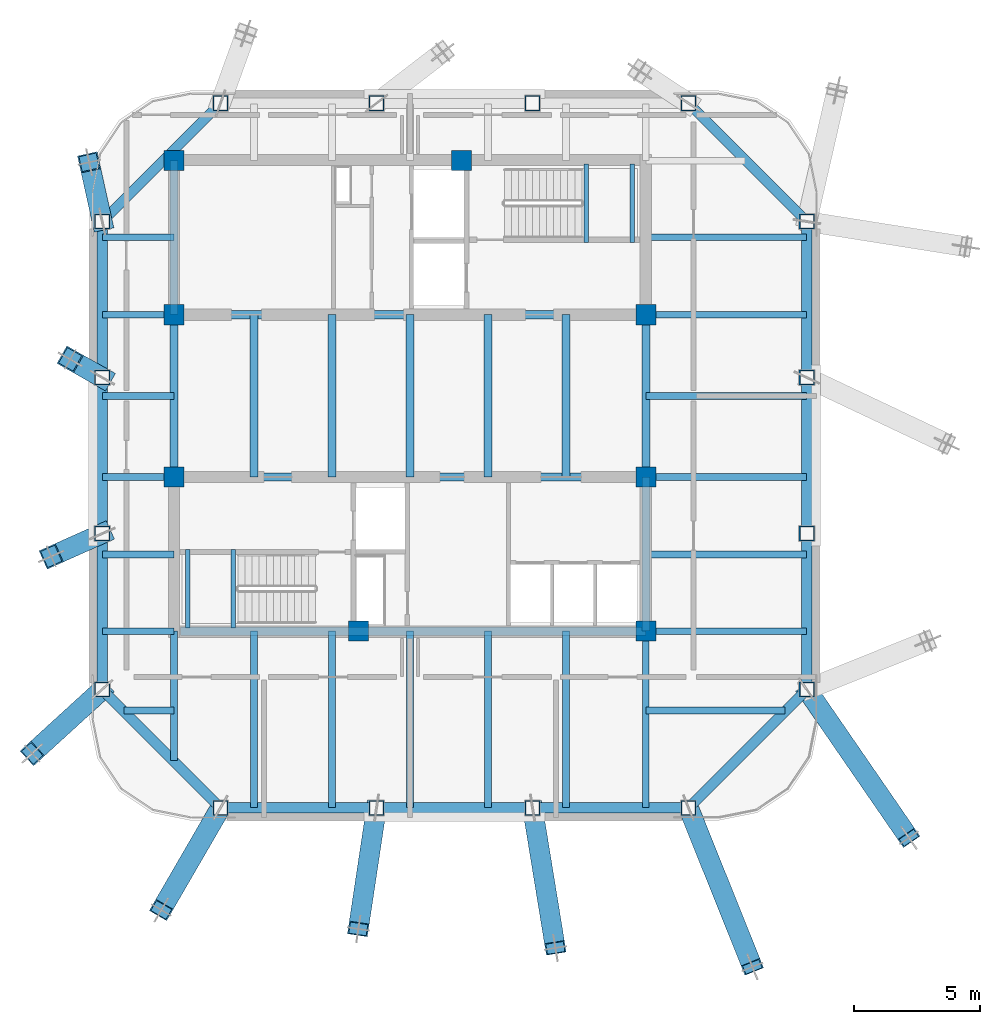
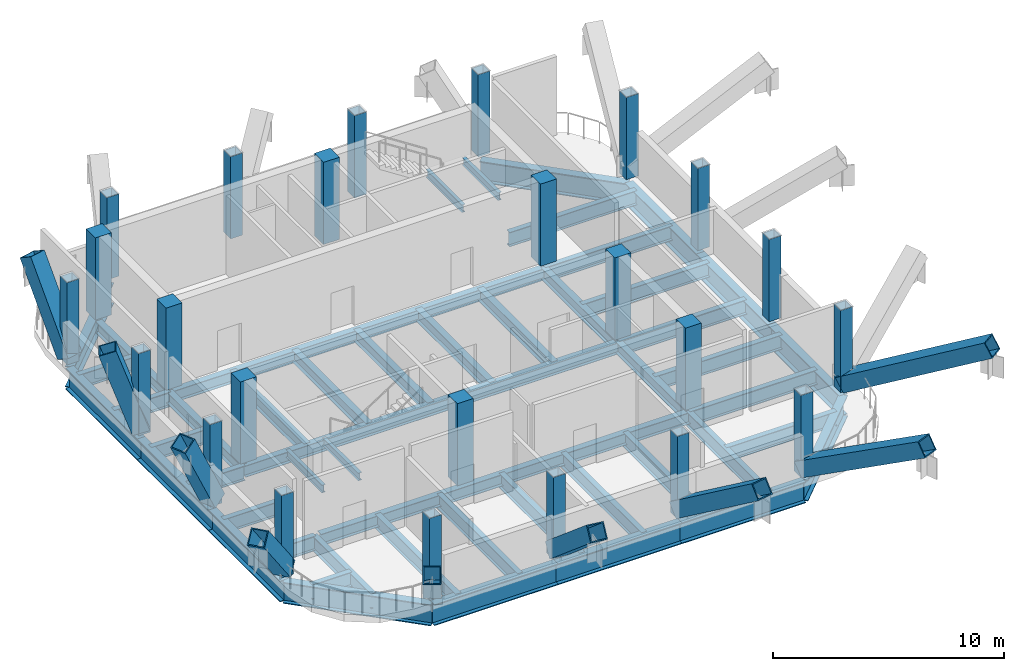
# One storey, part 1 of 7: 50 beams, 24 columns, 9 members.
"""IFC4 building model written with IfcOpenShell, lengths in metres."""

from ifc_helpers import new_model, si_unit, direction, frame, origin, origin_2d, place, context, subcontext, project, spatial, rectangle, hollow_rectangle, i_section, extrude, material, material_profile, profile_set, type_object, element, save


model = new_model("IFC4")

# Units and contexts
model_context = context("Model", 3, precision=1e-05, world=origin(), true_north=direction((0.0, 1.0)))
body_context = subcontext(model_context, "Body", "Model", "MODEL_VIEW")
ifc_project = project(units=[si_unit("LENGTHUNIT", "METRE"), si_unit("AREAUNIT", "SQUARE_METRE"), si_unit("VOLUMEUNIT", "CUBIC_METRE"), si_unit("PLANEANGLEUNIT", "RADIAN"), si_unit("MASSUNIT", "GRAM", prefix="KILO")], contexts=[model_context])

# Site, building, storey
site_placement = place(None, origin())
site = spatial("IfcSite", under=ifc_project, at=site_placement, CompositionType="ELEMENT")
building_placement = place(site_placement, origin())
building = spatial("IfcBuilding", under=site, at=building_placement, Name="Qhalaya Broadcast Tower", CompositionType="ELEMENT")
storey_placement = place(building_placement, frame((0.0, 0.0, 238.5)))
storey = spatial("IfcBuildingStorey", under=building, at=storey_placement, Name="L70", CompositionType="ELEMENT", Elevation=238.5)

# Columns
ifc_material_1 = material(Name="Concrete C50/60", Category="concrete")
ifc_material_profile_1 = material_profile(ifc_material_1, rectangle(XDim=0.800048828125, YDim=0.800048828125, at=origin_2d()), Name="RC-COL 800x800")
ifc_profile_set_1 = profile_set([ifc_material_profile_1], Name="Concrete C50/60")
column_type_1 = type_object("IfcColumnType", Name="RC Upper Column C10", PredefinedType="COLUMN", material=ifc_profile_set_1)
for number, where, z_axis, x_axis, name in (
    (1, (-9.375, 9.949951171875, 0.0), (0.0, 0.0, 1.0), (1.0, 0.0, 0.0), "L70 Column COL-CC1"),
    (2, (2.050048828125, 9.949951171875, 0.0), (0.0, 0.0, 1.0), (1.0, 0.0, 0.0), "L70 Column COL-CC2"),
    (3, (-9.375, 3.824951171875, 0.0), (0.0, 0.0, 1.0), (1.0, 0.0, 0.0), "L70 Column COL-CC3"),
    (4, (9.375, 3.824951171875, 0.0), (0.0, 0.0, 1.0), (1.0, 0.0, 0.0), "L70 Column COL-CC4"),
    (5, (-9.375, -2.625, 0.0), (0.0, 0.0, 1.0), (1.0, 0.0, 0.0), "L70 Column COL-CC5"),
    (6, (9.375, -2.625, 0.0), (0.0, 0.0, 1.0), (1.0, 0.0, 0.0), "L70 Column COL-CC6"),
    (7, (-2.050048828125, -8.75, 0.0), (0.0, 0.0, 1.0), (1.0, 0.0, 0.0), "L70 Column COL-CC7"),
    (8, (9.375, -8.75, 0.0), (0.0, 0.0, 1.0), (1.0, 0.0, 0.0), "L70 Column COL-CC8"),
):
    element("IfcColumn", number, at=place(storey_placement, frame(where, z_axis=z_axis, x_axis=x_axis)), inside=storey, type_object=column_type_1, Name=name, PredefinedType="COLUMN", context=body_context, shape_type="SweptSolid", body=[
        extrude(rectangle(XDim=0.800048828125, YDim=0.800048828125, at=origin_2d()), origin(), (0.0, 0.0, 1.0), 4.35009765625),
    ])
ifc_material_2 = material(Name="Structural Steel ASTM A572 Grade 50", Category="steel")
ifc_material_profile_2 = material_profile(ifc_material_2, hollow_rectangle(XDim=0.60009765625, YDim=0.60009765625, WallThickness=0.0400390625, at=origin_2d()), Name="BOX 600x600x40")
ifc_profile_set_2 = profile_set([ifc_material_profile_2], Name="Structural Steel ASTM A572 Grade 50")
column_type_2 = type_object("IfcColumnType", Name="Steel Box Column C05", PredefinedType="COLUMN", material=ifc_profile_set_2)
for number, where, z_axis, x_axis, name in (
    (9, (-7.530029296875, -15.77001953125, 0.0), (0.0, 0.0, 1.0), (1.0, 0.0, 0.0), "L70 Column COL-NK01"),
    (10, (-1.330078125, -15.77001953125, 0.0), (0.0, 0.0, 1.0), (1.0, 0.0, 0.0), "L70 Column COL-NK02"),
    (11, (4.8701171875, -15.77001953125, 0.0), (0.0, 0.0, 1.0), (1.0, 0.0, 0.0), "L70 Column COL-NK03"),
    (12, (11.070068359375, -15.77001953125, 0.0), (0.0, 0.0, 1.0), (1.0, 0.0, 0.0), "L70 Column COL-NK04"),
    (13, (15.77001953125, -11.070068359375, 0.0), (0.0, 0.0, 1.0), (0.0, 1.0, 0.0), "L70 Column COL-NK05"),
    (14, (15.77001953125, -4.8701171875, 0.0), (0.0, 0.0, 1.0), (0.0, 1.0, 0.0), "L70 Column COL-NK06"),
    (15, (15.77001953125, 1.330078125, 0.0), (0.0, 0.0, 1.0), (0.0, 1.0, 0.0), "L70 Column COL-NK07"),
    (16, (15.77001953125, 7.530029296875, 0.0), (0.0, 0.0, 1.0), (0.0, 1.0, 0.0), "L70 Column COL-NK08"),
    (17, (11.070068359375, 12.22998046875, 0.0), (0.0, 0.0, 1.0), (1.0, 0.0, 0.0), "L70 Column COL-NK09"),
    (18, (4.8701171875, 12.22998046875, 0.0), (0.0, 0.0, 1.0), (1.0, 0.0, 0.0), "L70 Column COL-NK10"),
    (19, (-1.330078125, 12.22998046875, 0.0), (0.0, 0.0, 1.0), (1.0, 0.0, 0.0), "L70 Column COL-NK11"),
    (20, (-7.530029296875, 12.22998046875, 0.0), (0.0, 0.0, 1.0), (1.0, 0.0, 0.0), "L70 Column COL-NK12"),
    (21, (-12.22998046875, 7.530029296875, 0.0), (0.0, 0.0, 1.0), (0.0, 1.0, 0.0), "L70 Column COL-NK13"),
    (22, (-12.22998046875, 1.330078125, 0.0), (0.0, 0.0, 1.0), (0.0, 1.0, 0.0), "L70 Column COL-NK14"),
    (23, (-12.22998046875, -4.8701171875, 0.0), (0.0, 0.0, 1.0), (0.0, 1.0, 0.0), "L70 Column COL-NK15"),
    (24, (-12.22998046875, -11.070068359375, 0.0), (0.0, 0.0, 1.0), (0.0, 1.0, 0.0), "L70 Column COL-NK16"),
):
    element("IfcColumn", number, at=place(storey_placement, frame(where, z_axis=z_axis, x_axis=x_axis)), inside=storey, type_object=column_type_2, Name=name, PredefinedType="COLUMN", context=body_context, shape_type="SweptSolid", body=[
        extrude(hollow_rectangle(XDim=0.60009765625, YDim=0.60009765625, WallThickness=0.0400390625, at=origin_2d()), origin(), (0.0, 0.0, 1.0), 4.35009765625),
    ])

# Beams
ifc_material_3 = material(Name="Structural Steel ASTM A992 Grade 50", Category="steel")
ifc_material_profile_3 = material_profile(ifc_material_3, i_section(OverallWidth=0.323974609375, OverallDepth=0.612060546875, WebThickness=0.0126953125, FlangeThickness=0.01904296875, at=origin_2d()), Name="W24X104")
ifc_profile_set_3 = profile_set([ifc_material_profile_3], Name="Structural Steel ASTM A992 Grade 50")
beam_type_1 = type_object("IfcBeamType", Name="Core Frame Tie Beam B04", PredefinedType="BEAM", material=ifc_profile_set_3)
beam_1_placement = place(storey_placement, frame((-9.375, 3.824951171875, -0.68603515625), z_axis=(1.0, 0.0, 0.0), x_axis=(0.0, 1.0, 0.0)))
element("IfcBeam", 25, at=beam_1_placement, inside=storey, type_object=beam_type_1, Name="L70 B04 L70-CCN1", PredefinedType="BEAM", context=body_context, shape_type="SweptSolid", body=[
    extrude(i_section(OverallWidth=0.323974609375, OverallDepth=0.612060546875, WebThickness=0.0126953125, FlangeThickness=0.01904296875, at=origin_2d()), origin(), (0.0, 0.0, 1.0), 18.75),
])
beam_2_placement = place(storey_placement, frame((-9.375, 3.824951171875, -0.68603515625), z_axis=(0.0, 1.0, 0.0), x_axis=(-1.0, 0.0, 0.0)))
element("IfcBeam", 26, at=beam_2_placement, inside=storey, type_object=beam_type_1, Name="L70 B04 L70-CCN2", PredefinedType="BEAM", context=body_context, shape_type="SweptSolid", body=[
    extrude(i_section(OverallWidth=0.323974609375, OverallDepth=0.612060546875, WebThickness=0.0126953125, FlangeThickness=0.01904296875, at=origin_2d()), origin(), (0.0, 0.0, 1.0), 6.125),
])
beam_3_placement = place(storey_placement, frame((-9.375, -2.625, -0.68603515625), z_axis=(1.0, 0.0, 0.0), x_axis=(0.0, 1.0, 0.0)))
element("IfcBeam", 27, at=beam_3_placement, inside=storey, type_object=beam_type_1, Name="L70 B04 L70-CCS1", PredefinedType="BEAM", context=body_context, shape_type="SweptSolid", body=[
    extrude(i_section(OverallWidth=0.323974609375, OverallDepth=0.612060546875, WebThickness=0.0126953125, FlangeThickness=0.01904296875, at=origin_2d()), origin(), (0.0, 0.0, 1.0), 18.75),
])
beam_4_placement = place(storey_placement, frame((9.375, -8.75, -0.68603515625), z_axis=(0.0, 1.0, 0.0), x_axis=(-1.0, 0.0, 0.0)))
element("IfcBeam", 28, at=beam_4_placement, inside=storey, type_object=beam_type_1, Name="L70 B04 L70-CCS2", PredefinedType="BEAM", context=body_context, shape_type="SweptSolid", body=[
    extrude(i_section(OverallWidth=0.323974609375, OverallDepth=0.612060546875, WebThickness=0.0126953125, FlangeThickness=0.01904296875, at=origin_2d()), origin(), (0.0, 0.0, 1.0), 6.125),
])
beam_5_placement = place(storey_placement, frame((-9.1201171875, -8.75, -0.68603515625), z_axis=(1.0, 0.0, 0.0), x_axis=(0.0, 1.0, 0.0)))
element("IfcBeam", 29, at=beam_5_placement, inside=storey, type_object=beam_type_1, Name="L70 B04 L70-CCS3", PredefinedType="BEAM", context=body_context, shape_type="SweptSolid", body=[
    extrude(i_section(OverallWidth=0.323974609375, OverallDepth=0.612060546875, WebThickness=0.0126953125, FlangeThickness=0.01904296875, at=origin_2d()), origin(), (0.0, 0.0, 1.0), 18.4951171875),
])
for number, where, z_axis, x_axis, name in (
    (30, (-9.375, -2.625, -0.68603515625), (0.0, 1.0, 0.0), (-1.0, 0.0, 0.0), "L70 B04 L70-CCW"),
    (31, (9.375, -2.625, -0.68603515625), (0.0, 1.0, 0.0), (-1.0, 0.0, 0.0), "L70 B04 L70-CCE"),
    (32, (-6.199951171875, -2.625, -0.68603515625), (0.0, 1.0, 0.0), (-1.0, 0.0, 0.0), "L70 B04 L70-JC1-1"),
    (33, (-3.10009765625, -2.625, -0.68603515625), (0.0, 1.0, 0.0), (-1.0, 0.0, 0.0), "L70 B04 L70-JC2-1"),
    (34, (0.0, -2.625, -0.68603515625), (0.0, 1.0, 0.0), (-1.0, 0.0, 0.0), "L70 B04 L70-JC3-1"),
    (35, (3.10009765625, -2.625, -0.68603515625), (0.0, 1.0, 0.0), (-1.0, 0.0, 0.0), "L70 B04 L70-JC4-1"),
    (36, (6.199951171875, -2.625, -0.68603515625), (0.0, 1.0, 0.0), (-1.0, 0.0, 0.0), "L70 B04 L70-JC5-1"),
):
    element("IfcBeam", number, at=place(storey_placement, frame(where, z_axis=z_axis, x_axis=x_axis)), inside=storey, type_object=beam_type_1, Name=name, PredefinedType="BEAM", context=body_context, shape_type="SweptSolid", body=[
        extrude(i_section(OverallWidth=0.323974609375, OverallDepth=0.612060546875, WebThickness=0.0126953125, FlangeThickness=0.01904296875, at=origin_2d()), origin(), (0.0, 0.0, 1.0), 6.449951171875),
    ])
ifc_material_profile_4 = material_profile(ifc_material_3, i_section(OverallWidth=0.26708984375, OverallDepth=0.780029296875, WebThickness=0.0166015625, FlangeThickness=0.030029296875, at=origin_2d()), Name="W30X148")
ifc_profile_set_4 = profile_set([ifc_material_profile_4], Name="Structural Steel ASTM A992 Grade 50")
beam_type_2 = type_object("IfcBeamType", Name="Neck & Crown Primary Girder PG5", PredefinedType="USERDEFINED", material=ifc_profile_set_4)
beam_6_placement = place(storey_placement, frame((-9.375, -13.896728515625, -0.77001953125), z_axis=(0.0, 1.0, 0.0), x_axis=(-1.0, 0.0, 0.0)))
element("IfcBeam", 37, at=beam_6_placement, inside=storey, type_object=beam_type_2, Name="L70 PG5 L70-PGXS1-1", ObjectType="GIRDER", PredefinedType="USERDEFINED", context=body_context, shape_type="SweptSolid", body=[
    extrude(i_section(OverallWidth=0.26708984375, OverallDepth=0.780029296875, WebThickness=0.0166015625, FlangeThickness=0.030029296875, at=origin_2d()), origin(), (0.0, 0.0, 1.0), 5.146728515625),
])
beam_7_placement = place(storey_placement, frame((9.375, -15.75, -0.77001953125), z_axis=(0.0, 1.0, 0.0), x_axis=(-1.0, 0.0, 0.0)))
element("IfcBeam", 38, at=beam_7_placement, inside=storey, type_object=beam_type_2, Name="L70 PG5 L70-PGXS2-1", ObjectType="GIRDER", PredefinedType="USERDEFINED", context=body_context, shape_type="SweptSolid", body=[
    extrude(i_section(OverallWidth=0.26708984375, OverallDepth=0.780029296875, WebThickness=0.0166015625, FlangeThickness=0.030029296875, at=origin_2d()), origin(), (0.0, 0.0, 1.0), 7.0),
])
beam_8_placement = place(storey_placement, frame((-12.2099609375, -8.75, -0.77001953125), z_axis=(1.0, 0.0, 0.0), x_axis=(0.0, 1.0, 0.0)))
element("IfcBeam", 39, at=beam_8_placement, inside=storey, type_object=beam_type_2, Name="L70 PG5 L70-PGYW1-1", ObjectType="GIRDER", PredefinedType="USERDEFINED", context=body_context, shape_type="SweptSolid", body=[
    extrude(i_section(OverallWidth=0.26708984375, OverallDepth=0.780029296875, WebThickness=0.0166015625, FlangeThickness=0.030029296875, at=origin_2d()), origin(), (0.0, 0.0, 1.0), 2.8349609375),
])
beam_9_placement = place(storey_placement, frame((9.375, -8.75, -0.77001953125), z_axis=(1.0, 0.0, 0.0), x_axis=(0.0, 1.0, 0.0)))
element("IfcBeam", 40, at=beam_9_placement, inside=storey, type_object=beam_type_2, Name="L70 PG5 L70-PGYE1-1", ObjectType="GIRDER", PredefinedType="USERDEFINED", context=body_context, shape_type="SweptSolid", body=[
    extrude(i_section(OverallWidth=0.26708984375, OverallDepth=0.780029296875, WebThickness=0.0166015625, FlangeThickness=0.030029296875, at=origin_2d()), origin(), (0.0, 0.0, 1.0), 6.375),
])
beam_10_placement = place(storey_placement, frame((-12.2099609375, -2.625, -0.77001953125), z_axis=(1.0, 0.0, 0.0), x_axis=(0.0, 1.0, 0.0)))
element("IfcBeam", 41, at=beam_10_placement, inside=storey, type_object=beam_type_2, Name="L70 PG5 L70-PGYW2-1", ObjectType="GIRDER", PredefinedType="USERDEFINED", context=body_context, shape_type="SweptSolid", body=[
    extrude(i_section(OverallWidth=0.26708984375, OverallDepth=0.780029296875, WebThickness=0.0166015625, FlangeThickness=0.030029296875, at=origin_2d()), origin(), (0.0, 0.0, 1.0), 2.8349609375),
])
beam_11_placement = place(storey_placement, frame((9.375, -2.625, -0.77001953125), z_axis=(1.0, 0.0, 0.0), x_axis=(0.0, 1.0, 0.0)))
element("IfcBeam", 42, at=beam_11_placement, inside=storey, type_object=beam_type_2, Name="L70 PG5 L70-PGYE2-1", ObjectType="GIRDER", PredefinedType="USERDEFINED", context=body_context, shape_type="SweptSolid", body=[
    extrude(i_section(OverallWidth=0.26708984375, OverallDepth=0.780029296875, WebThickness=0.0166015625, FlangeThickness=0.030029296875, at=origin_2d()), origin(), (0.0, 0.0, 1.0), 6.375),
])
beam_12_placement = place(storey_placement, frame((-12.2099609375, 3.824951171875, -0.77001953125), z_axis=(1.0, 0.0, 0.0), x_axis=(0.0, 1.0, 0.0)))
element("IfcBeam", 43, at=beam_12_placement, inside=storey, type_object=beam_type_2, Name="L70 PG5 L70-PGYW3-1", ObjectType="GIRDER", PredefinedType="USERDEFINED", context=body_context, shape_type="SweptSolid", body=[
    extrude(i_section(OverallWidth=0.26708984375, OverallDepth=0.780029296875, WebThickness=0.0166015625, FlangeThickness=0.030029296875, at=origin_2d()), origin(), (0.0, 0.0, 1.0), 2.8349609375),
])
beam_13_placement = place(storey_placement, frame((9.375, 3.824951171875, -0.77001953125), z_axis=(1.0, 0.0, 0.0), x_axis=(0.0, 1.0, 0.0)))
element("IfcBeam", 44, at=beam_13_placement, inside=storey, type_object=beam_type_2, Name="L70 PG5 L70-PGYE3-1", ObjectType="GIRDER", PredefinedType="USERDEFINED", context=body_context, shape_type="SweptSolid", body=[
    extrude(i_section(OverallWidth=0.26708984375, OverallDepth=0.780029296875, WebThickness=0.0166015625, FlangeThickness=0.030029296875, at=origin_2d()), origin(), (0.0, 0.0, 1.0), 6.375),
])
ifc_material_profile_5 = material_profile(ifc_material_3, i_section(OverallWidth=0.26708984375, OverallDepth=0.761962890625, WebThickness=0.014404296875, FlangeThickness=0.021484375, at=origin_2d()), Name="W30X116")
ifc_profile_set_5 = profile_set([ifc_material_profile_5], Name="Structural Steel ASTM A992 Grade 50")
beam_type_3 = type_object("IfcBeamType", Name="Plant & Server Floor Beam B02", PredefinedType="BEAM", material=ifc_profile_set_5)
for number, where, z_axis, x_axis, name in (
    (45, (-6.199951171875, -15.75, -0.760986328125), (0.0, 1.0, 0.0), (-1.0, 0.0, 0.0), "L70 B02 L70-JNS1-1"),
    (46, (-3.10009765625, -15.75, -0.760986328125), (0.0, 1.0, 0.0), (-1.0, 0.0, 0.0), "L70 B02 L70-JNS2-1"),
    (47, (0.0, -15.75, -0.760986328125), (0.0, 1.0, 0.0), (-1.0, 0.0, 0.0), "L70 B02 L70-JNS3-1"),
    (48, (3.10009765625, -15.75, -0.760986328125), (0.0, 1.0, 0.0), (-1.0, 0.0, 0.0), "L70 B02 L70-JNS4-1"),
    (49, (6.199951171875, -15.75, -0.760986328125), (0.0, 1.0, 0.0), (-1.0, 0.0, 0.0), "L70 B02 L70-JNS5-1"),
):
    element("IfcBeam", number, at=place(storey_placement, frame(where, z_axis=z_axis, x_axis=x_axis)), inside=storey, type_object=beam_type_3, Name=name, PredefinedType="BEAM", context=body_context, shape_type="SweptSolid", body=[
        extrude(i_section(OverallWidth=0.26708984375, OverallDepth=0.761962890625, WebThickness=0.014404296875, FlangeThickness=0.021484375, at=origin_2d()), origin(), (0.0, 0.0, 1.0), 7.0),
    ])
beam_14_placement = place(storey_placement, frame((-11.37158203125, -11.89990234375, -0.760986328125), z_axis=(1.0, 0.0, 0.0), x_axis=(0.0, 1.0, 0.0)))
element("IfcBeam", 50, at=beam_14_placement, inside=storey, type_object=beam_type_3, Name="L70 B02 L70-JWE2W-1", PredefinedType="BEAM", context=body_context, shape_type="SweptSolid", body=[
    extrude(i_section(OverallWidth=0.26708984375, OverallDepth=0.761962890625, WebThickness=0.014404296875, FlangeThickness=0.021484375, at=origin_2d()), origin(), (0.0, 0.0, 1.0), 1.99658203125),
])
beam_15_placement = place(storey_placement, frame((9.375, -11.89990234375, -0.760986328125), z_axis=(1.0, 0.0, 0.0), x_axis=(0.0, 1.0, 0.0)))
element("IfcBeam", 51, at=beam_15_placement, inside=storey, type_object=beam_type_3, Name="L70 B02 L70-JWE2E-1", PredefinedType="BEAM", context=body_context, shape_type="SweptSolid", body=[
    extrude(i_section(OverallWidth=0.26708984375, OverallDepth=0.761962890625, WebThickness=0.014404296875, FlangeThickness=0.021484375, at=origin_2d()), origin(), (0.0, 0.0, 1.0), 5.53662109375),
])
beam_16_placement = place(storey_placement, frame((-12.2099609375, -5.699951171875, -0.760986328125), z_axis=(1.0, 0.0, 0.0), x_axis=(0.0, 1.0, 0.0)))
element("IfcBeam", 52, at=beam_16_placement, inside=storey, type_object=beam_type_3, Name="L70 B02 L70-JWE3W-1", PredefinedType="BEAM", context=body_context, shape_type="SweptSolid", body=[
    extrude(i_section(OverallWidth=0.26708984375, OverallDepth=0.761962890625, WebThickness=0.014404296875, FlangeThickness=0.021484375, at=origin_2d()), origin(), (0.0, 0.0, 1.0), 2.8349609375),
])
beam_17_placement = place(storey_placement, frame((9.375, -5.699951171875, -0.760986328125), z_axis=(1.0, 0.0, 0.0), x_axis=(0.0, 1.0, 0.0)))
element("IfcBeam", 53, at=beam_17_placement, inside=storey, type_object=beam_type_3, Name="L70 B02 L70-JWE3E-1", PredefinedType="BEAM", context=body_context, shape_type="SweptSolid", body=[
    extrude(i_section(OverallWidth=0.26708984375, OverallDepth=0.761962890625, WebThickness=0.014404296875, FlangeThickness=0.021484375, at=origin_2d()), origin(), (0.0, 0.0, 1.0), 6.375),
])
beam_18_placement = place(storey_placement, frame((-12.2099609375, 0.60009765625, -0.760986328125), z_axis=(1.0, 0.0, 0.0), x_axis=(0.0, 1.0, 0.0)))
element("IfcBeam", 54, at=beam_18_placement, inside=storey, type_object=beam_type_3, Name="L70 B02 L70-JWE4W-1", PredefinedType="BEAM", context=body_context, shape_type="SweptSolid", body=[
    extrude(i_section(OverallWidth=0.26708984375, OverallDepth=0.761962890625, WebThickness=0.014404296875, FlangeThickness=0.021484375, at=origin_2d()), origin(), (0.0, 0.0, 1.0), 2.8349609375),
])
beam_19_placement = place(storey_placement, frame((9.375, 0.60009765625, -0.760986328125), z_axis=(1.0, 0.0, 0.0), x_axis=(0.0, 1.0, 0.0)))
element("IfcBeam", 55, at=beam_19_placement, inside=storey, type_object=beam_type_3, Name="L70 B02 L70-JWE4E-1", PredefinedType="BEAM", context=body_context, shape_type="SweptSolid", body=[
    extrude(i_section(OverallWidth=0.26708984375, OverallDepth=0.761962890625, WebThickness=0.014404296875, FlangeThickness=0.021484375, at=origin_2d()), origin(), (0.0, 0.0, 1.0), 6.375),
])
beam_20_placement = place(storey_placement, frame((-12.2099609375, 6.89990234375, -0.760986328125), z_axis=(1.0, 0.0, 0.0), x_axis=(0.0, 1.0, 0.0)))
element("IfcBeam", 56, at=beam_20_placement, inside=storey, type_object=beam_type_3, Name="L70 B02 L70-JWE5W-1", PredefinedType="BEAM", context=body_context, shape_type="SweptSolid", body=[
    extrude(i_section(OverallWidth=0.26708984375, OverallDepth=0.761962890625, WebThickness=0.014404296875, FlangeThickness=0.021484375, at=origin_2d()), origin(), (0.0, 0.0, 1.0), 2.8349609375),
])
beam_21_placement = place(storey_placement, frame((9.375, 6.89990234375, -0.760986328125), z_axis=(1.0, 0.0, 0.0), x_axis=(0.0, 1.0, 0.0)))
element("IfcBeam", 57, at=beam_21_placement, inside=storey, type_object=beam_type_3, Name="L70 B02 L70-JWE5E-1", PredefinedType="BEAM", context=body_context, shape_type="SweptSolid", body=[
    extrude(i_section(OverallWidth=0.26708984375, OverallDepth=0.761962890625, WebThickness=0.014404296875, FlangeThickness=0.021484375, at=origin_2d()), origin(), (0.0, 0.0, 1.0), 6.375),
])
ifc_material_profile_6 = material_profile(ifc_material_3, i_section(OverallWidth=0.404052734375, OverallDepth=1.117919921875, WebThickness=0.026123046875, FlangeThickness=0.044921875, at=origin_2d()), Name="W44X335")
ifc_profile_set_6 = profile_set([ifc_material_profile_6], Name="Structural Steel ASTM A992 Grade 50")
beam_type_4 = type_object("IfcBeamType", Name="Podium Long-Span Primary Girder PG1", PredefinedType="USERDEFINED", material=ifc_profile_set_6)
beam_22_placement = place(storey_placement, frame((-7.530029296875, -15.77001953125, -0.93896484375), z_axis=(1.0, 0.0, 0.0), x_axis=(0.0, 1.0, 0.0)))
element("IfcBeam", 58, at=beam_22_placement, inside=storey, type_object=beam_type_4, Name="L70 PG1 L70-SPR-01", ObjectType="GIRDER", PredefinedType="USERDEFINED", context=body_context, shape_type="SweptSolid", body=[
    extrude(i_section(OverallWidth=0.404052734375, OverallDepth=1.117919921875, WebThickness=0.026123046875, FlangeThickness=0.044921875, at=origin_2d()), origin(), (0.0, 0.0, 1.0), 6.199951171875),
])
beam_23_placement = place(storey_placement, frame((-1.330078125, -15.77001953125, -0.93896484375), z_axis=(1.0, 0.0, 0.0), x_axis=(0.0, 1.0, 0.0)))
element("IfcBeam", 59, at=beam_23_placement, inside=storey, type_object=beam_type_4, Name="L70 PG1 L70-SPR-02", ObjectType="GIRDER", PredefinedType="USERDEFINED", context=body_context, shape_type="SweptSolid", body=[
    extrude(i_section(OverallWidth=0.404052734375, OverallDepth=1.117919921875, WebThickness=0.026123046875, FlangeThickness=0.044921875, at=origin_2d()), origin(), (0.0, 0.0, 1.0), 6.2001953125),
])
beam_24_placement = place(storey_placement, frame((4.8701171875, -15.77001953125, -0.93896484375), z_axis=(1.0, 0.0, 0.0), x_axis=(0.0, 1.0, 0.0)))
element("IfcBeam", 60, at=beam_24_placement, inside=storey, type_object=beam_type_4, Name="L70 PG1 L70-SPR-03", ObjectType="GIRDER", PredefinedType="USERDEFINED", context=body_context, shape_type="SweptSolid", body=[
    extrude(i_section(OverallWidth=0.404052734375, OverallDepth=1.117919921875, WebThickness=0.026123046875, FlangeThickness=0.044921875, at=origin_2d()), origin(), (0.0, 0.0, 1.0), 6.199951171875),
])
beam_25_placement = place(storey_placement, frame((11.070068359375, -15.77001953125, -0.93896484375), z_axis=(0.707106781187, 0.707106781187, 0.0), x_axis=(-0.707106781187, 0.707106781187, 0.0)))
element("IfcBeam", 61, at=beam_25_placement, inside=storey, type_object=beam_type_4, Name="L70 PG1 L70-SPR-04", ObjectType="GIRDER", PredefinedType="USERDEFINED", context=body_context, shape_type="SweptSolid", body=[
    extrude(i_section(OverallWidth=0.404052734375, OverallDepth=1.117919921875, WebThickness=0.026123046875, FlangeThickness=0.044921875, at=origin_2d()), origin(), (0.0, 0.0, 1.0), 6.646728515625),
])
beam_26_placement = place(storey_placement, frame((15.77001953125, -11.070068359375, -0.93896484375), z_axis=(0.0, 1.0, 0.0), x_axis=(-1.0, 0.0, 0.0)))
element("IfcBeam", 62, at=beam_26_placement, inside=storey, type_object=beam_type_4, Name="L70 PG1 L70-SPR-05", ObjectType="GIRDER", PredefinedType="USERDEFINED", context=body_context, shape_type="SweptSolid", body=[
    extrude(i_section(OverallWidth=0.404052734375, OverallDepth=1.117919921875, WebThickness=0.026123046875, FlangeThickness=0.044921875, at=origin_2d()), origin(), (0.0, 0.0, 1.0), 6.199951171875),
])
beam_27_placement = place(storey_placement, frame((15.77001953125, -4.8701171875, -0.93896484375), z_axis=(0.0, 1.0, 0.0), x_axis=(-1.0, 0.0, 0.0)))
element("IfcBeam", 63, at=beam_27_placement, inside=storey, type_object=beam_type_4, Name="L70 PG1 L70-SPR-06", ObjectType="GIRDER", PredefinedType="USERDEFINED", context=body_context, shape_type="SweptSolid", body=[
    extrude(i_section(OverallWidth=0.404052734375, OverallDepth=1.117919921875, WebThickness=0.026123046875, FlangeThickness=0.044921875, at=origin_2d()), origin(), (0.0, 0.0, 1.0), 6.2001953125),
])
beam_28_placement = place(storey_placement, frame((15.77001953125, 1.330078125, -0.93896484375), z_axis=(0.0, 1.0, 0.0), x_axis=(-1.0, 0.0, 0.0)))
element("IfcBeam", 64, at=beam_28_placement, inside=storey, type_object=beam_type_4, Name="L70 PG1 L70-SPR-07", ObjectType="GIRDER", PredefinedType="USERDEFINED", context=body_context, shape_type="SweptSolid", body=[
    extrude(i_section(OverallWidth=0.404052734375, OverallDepth=1.117919921875, WebThickness=0.026123046875, FlangeThickness=0.044921875, at=origin_2d()), origin(), (0.0, 0.0, 1.0), 6.199951171875),
])
for number, where, z_axis, x_axis, name in (
    (65, (15.77001953125, 7.530029296875, -0.93896484375), (-0.707106781187, 0.707106781187, 0.0), (-0.707106781187, -0.707106781187, 0.0), "L70 PG1 L70-SPR-08"),
    (66, (-7.530029296875, 12.22998046875, -0.93896484375), (-0.707106781187, -0.707106781187, 0.0), (0.707106781187, -0.707106781187, 0.0), "L70 PG1 L70-SPR-12"),
):
    element("IfcBeam", number, at=place(storey_placement, frame(where, z_axis=z_axis, x_axis=x_axis)), inside=storey, type_object=beam_type_4, Name=name, ObjectType="GIRDER", PredefinedType="USERDEFINED", context=body_context, shape_type="SweptSolid", body=[
        extrude(i_section(OverallWidth=0.404052734375, OverallDepth=1.117919921875, WebThickness=0.026123046875, FlangeThickness=0.044921875, at=origin_2d()), origin(), (0.0, 0.0, 1.0), 6.646728515625),
    ])
beam_29_placement = place(storey_placement, frame((-12.22998046875, 7.530029296875, -0.93896484375), z_axis=(0.0, -1.0, 0.0), x_axis=(1.0, 0.0, 0.0)))
element("IfcBeam", 67, at=beam_29_placement, inside=storey, type_object=beam_type_4, Name="L70 PG1 L70-SPR-13", ObjectType="GIRDER", PredefinedType="USERDEFINED", context=body_context, shape_type="SweptSolid", body=[
    extrude(i_section(OverallWidth=0.404052734375, OverallDepth=1.117919921875, WebThickness=0.026123046875, FlangeThickness=0.044921875, at=origin_2d()), origin(), (0.0, 0.0, 1.0), 6.199951171875),
])
beam_30_placement = place(storey_placement, frame((-12.22998046875, 1.330078125, -0.93896484375), z_axis=(0.0, -1.0, 0.0), x_axis=(1.0, 0.0, 0.0)))
element("IfcBeam", 68, at=beam_30_placement, inside=storey, type_object=beam_type_4, Name="L70 PG1 L70-SPR-14", ObjectType="GIRDER", PredefinedType="USERDEFINED", context=body_context, shape_type="SweptSolid", body=[
    extrude(i_section(OverallWidth=0.404052734375, OverallDepth=1.117919921875, WebThickness=0.026123046875, FlangeThickness=0.044921875, at=origin_2d()), origin(), (0.0, 0.0, 1.0), 6.2001953125),
])
beam_31_placement = place(storey_placement, frame((-12.22998046875, -4.8701171875, -0.93896484375), z_axis=(0.0, -1.0, 0.0), x_axis=(1.0, 0.0, 0.0)))
element("IfcBeam", 69, at=beam_31_placement, inside=storey, type_object=beam_type_4, Name="L70 PG1 L70-SPR-15", ObjectType="GIRDER", PredefinedType="USERDEFINED", context=body_context, shape_type="SweptSolid", body=[
    extrude(i_section(OverallWidth=0.404052734375, OverallDepth=1.117919921875, WebThickness=0.026123046875, FlangeThickness=0.044921875, at=origin_2d()), origin(), (0.0, 0.0, 1.0), 6.199951171875),
])
beam_32_placement = place(storey_placement, frame((-12.22998046875, -11.070068359375, -0.93896484375), z_axis=(0.707106781187, -0.707106781187, 0.0), x_axis=(0.707106781187, 0.707106781187, 0.0)))
element("IfcBeam", 70, at=beam_32_placement, inside=storey, type_object=beam_type_4, Name="L70 PG1 L70-SPR-16", ObjectType="GIRDER", PredefinedType="USERDEFINED", context=body_context, shape_type="SweptSolid", body=[
    extrude(i_section(OverallWidth=0.404052734375, OverallDepth=1.117919921875, WebThickness=0.026123046875, FlangeThickness=0.044921875, at=origin_2d()), origin(), (0.0, 0.0, 1.0), 6.646728515625),
])

# Members
ifc_material_profile_7 = material_profile(ifc_material_2, hollow_rectangle(XDim=0.800048828125, YDim=0.800048828125, WallThickness=0.050048828125, at=origin_2d()), Name="BOX 800x800x50")
ifc_profile_set_7 = profile_set([ifc_material_profile_7], Name="Structural Steel ASTM A572 Grade 50")
member_type = type_object("IfcMemberType", Name="Upper Exoskeleton Transfer Strut RK2", PredefinedType="BRACE", material=ifc_profile_set_7)
member_1_placement = place(storey_placement, frame((-7.530029296875, -15.77001953125, 0.313232421875), z_axis=(-0.38018772998, -0.655762691761, 0.65225193144), x_axis=(0.865119711462, -0.501565434256, 0.0)))
element("IfcMember", 71, at=member_1_placement, inside=storey, type_object=member_type, Name="L70 Inclined Exoskeleton Transfer Strut 01", PredefinedType="BRACE", context=body_context, shape_type="SweptSolid", body=[
    extrude(hollow_rectangle(XDim=0.800048828125, YDim=0.800048828125, WallThickness=0.050048828125, at=origin_2d()), origin(), (0.0, 0.0, 1.0), 6.189208984375),
])
member_2_placement = place(storey_placement, frame((-1.330078125, -15.77001953125, 0.318115234375), z_axis=(-0.114310696514, -0.761504714326, 0.637999713732), x_axis=(0.988920155698, -0.148448393908, 0.0)))
element("IfcMember", 72, at=member_2_placement, inside=storey, type_object=member_type, Name="L70 Inclined Exoskeleton Transfer Strut 02", PredefinedType="BRACE", context=body_context, shape_type="SweptSolid", body=[
    extrude(hollow_rectangle(XDim=0.800048828125, YDim=0.800048828125, WallThickness=0.050048828125, at=origin_2d()), origin(), (0.0, 0.0, 1.0), 6.31982421875),
])
member_3_placement = place(storey_placement, frame((4.8701171875, -15.77001953125, 0.3359375), z_axis=(0.131123514488, -0.804092557914, 0.579863589352), x_axis=(0.986963489338, 0.160944309358, 0.0)))
element("IfcMember", 73, at=member_3_placement, inside=storey, type_object=member_type, Name="L70 Inclined Exoskeleton Transfer Strut 03", PredefinedType="BRACE", context=body_context, shape_type="SweptSolid", body=[
    extrude(hollow_rectangle(XDim=0.800048828125, YDim=0.800048828125, WallThickness=0.050048828125, at=origin_2d()), origin(), (0.0, 0.0, 1.0), 6.922607421875),
])
member_4_placement = place(storey_placement, frame((11.070068359375, -15.77001953125, 0.35498046875), z_axis=(0.321461055211, -0.800421640599, 0.50595255434), x_axis=(0.927959127918, 0.372681978251, 0.0)))
element("IfcMember", 74, at=member_4_placement, inside=storey, type_object=member_type, Name="L70 Inclined Exoskeleton Transfer Strut 04", PredefinedType="BRACE", context=body_context, shape_type="SweptSolid", body=[
    extrude(hollow_rectangle(XDim=0.800048828125, YDim=0.800048828125, WallThickness=0.050048828125, at=origin_2d()), origin(), (0.0, 0.0, 1.0), 7.896240234375),
])
member_5_placement = place(storey_placement, frame((15.77001953125, -11.070068359375, 0.359375), z_axis=(0.495380142079, -0.719260736848, 0.48709599389), x_axis=(0.823566753225, 0.56721936055, 0.0)))
element("IfcMember", 75, at=member_5_placement, inside=storey, type_object=member_type, Name="L70 Inclined Exoskeleton Transfer Strut 05", PredefinedType="BRACE", context=body_context, shape_type="SweptSolid", body=[
    extrude(hollow_rectangle(XDim=0.800048828125, YDim=0.800048828125, WallThickness=0.050048828125, at=origin_2d()), origin(), (0.0, 0.0, 1.0), 8.19287109375),
])
member_6_placement = place(storey_placement, frame((-12.22998046875, 7.530029296875, 0.211181640625), z_axis=(-0.10827625842, 0.491321364713, 0.86422194397), x_axis=(-0.976567008475, -0.215213563602, 0.0)))
element("IfcMember", 76, at=member_6_placement, inside=storey, type_object=member_type, Name="L70 Inclined Exoskeleton Transfer Strut 13", PredefinedType="BRACE", context=body_context, shape_type="SweptSolid", body=[
    extrude(hollow_rectangle(XDim=0.800048828125, YDim=0.800048828125, WallThickness=0.050048828125, at=origin_2d()), origin(), (0.0, 0.0, 1.0), 4.7890625),
])
member_7_placement = place(storey_placement, frame((-12.22998046875, 1.330078125, 0.141357421875), z_axis=(-0.285571359262, 0.162126947823, 0.944544256009), x_axis=(-0.493711249382, -0.869625897863, 0.0)))
element("IfcMember", 77, at=member_7_placement, inside=storey, type_object=member_type, Name="L70 Inclined Exoskeleton Transfer Strut 14", PredefinedType="BRACE", context=body_context, shape_type="SweptSolid", body=[
    extrude(hollow_rectangle(XDim=0.800048828125, YDim=0.800048828125, WallThickness=0.050048828125, at=origin_2d()), origin(), (0.0, 0.0, 1.0), 4.455810546875),
])
member_8_placement = place(storey_placement, frame((-12.22998046875, -4.8701171875, 0.19873046875), z_axis=(-0.430422006868, -0.192808315848, 0.881794675275), x_axis=(0.408809635384, -0.912619680928, 0.0)))
element("IfcMember", 78, at=member_8_placement, inside=storey, type_object=member_type, Name="L70 Inclined Exoskeleton Transfer Strut 15", PredefinedType="BRACE", context=body_context, shape_type="SweptSolid", body=[
    extrude(hollow_rectangle(XDim=0.800048828125, YDim=0.800048828125, WallThickness=0.050048828125, at=origin_2d()), origin(), (0.0, 0.0, 1.0), 4.707763671875),
])
member_9_placement = place(storey_placement, frame((-12.22998046875, -11.070068359375, 0.28173828125), z_axis=(-0.501617889251, -0.4579261739, 0.733950347395), x_axis=(0.674210933047, -0.73853883971, 0.0)))
element("IfcMember", 79, at=member_9_placement, inside=storey, type_object=member_type, Name="L70 Inclined Exoskeleton Transfer Strut 16", PredefinedType="BRACE", context=body_context, shape_type="SweptSolid", body=[
    extrude(hollow_rectangle(XDim=0.800048828125, YDim=0.800048828125, WallThickness=0.050048828125, at=origin_2d()), origin(), (0.0, 0.0, 1.0), 5.543212890625),
])

# Beams
ifc_material_profile_8 = material_profile(ifc_material_3, i_section(OverallWidth=0.177978515625, OverallDepth=0.406005859375, WebThickness=0.0078125, FlangeThickness=0.0126953125, at=origin_2d()), Name="W16X40")
ifc_profile_set_8 = profile_set([ifc_material_profile_8], Name="Structural Steel ASTM A992 Grade 50")
beam_type_5 = type_object("IfcBeamType", Name="Upper Perimeter Spandrel Beam SP2", PredefinedType="SPANDREL", material=ifc_profile_set_8)
for number, where, z_axis, x_axis, name in (
    (80, (7.014892578125, 6.699951171875, 1.77197265625), (0.0, 1.0, 0.0), (-1.0, 0.0, 0.0), "L70 ST-1 Half-Landing Bearer Beam 1"),
    (81, (8.830078125, 6.699951171875, 1.77197265625), (0.0, 1.0, 0.0), (-1.0, 0.0, 0.0), "L70 ST-1 Half-Landing Bearer Beam 2"),
    (82, (-8.830078125, -8.6201171875, 1.77197265625), (0.0, 1.0, 0.0), (-1.0, 0.0, 0.0), "L70 ST-2 Half-Landing Bearer Beam 1"),
    (83, (-7.014892578125, -8.6201171875, 1.77197265625), (0.0, 1.0, 0.0), (-1.0, 0.0, 0.0), "L70 ST-2 Half-Landing Bearer Beam 2"),
):
    element("IfcBeam", number, at=place(storey_placement, frame(where, z_axis=z_axis, x_axis=x_axis)), inside=storey, type_object=beam_type_5, Name=name, PredefinedType="SPANDREL", context=body_context, shape_type="SweptSolid", body=[
        extrude(i_section(OverallWidth=0.177978515625, OverallDepth=0.406005859375, WebThickness=0.0078125, FlangeThickness=0.0126953125, at=origin_2d()), origin(), (0.0, 0.0, 1.0), 3.1201171875),
    ])

save(model, "model.ifc")
